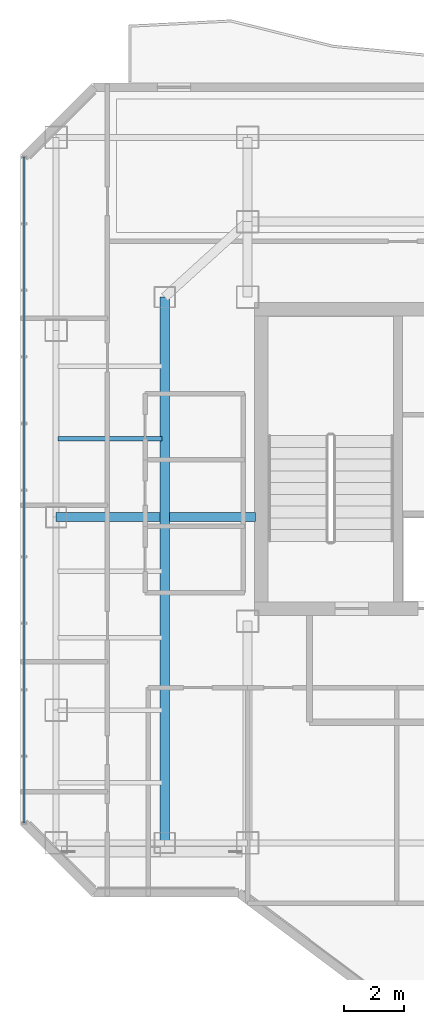
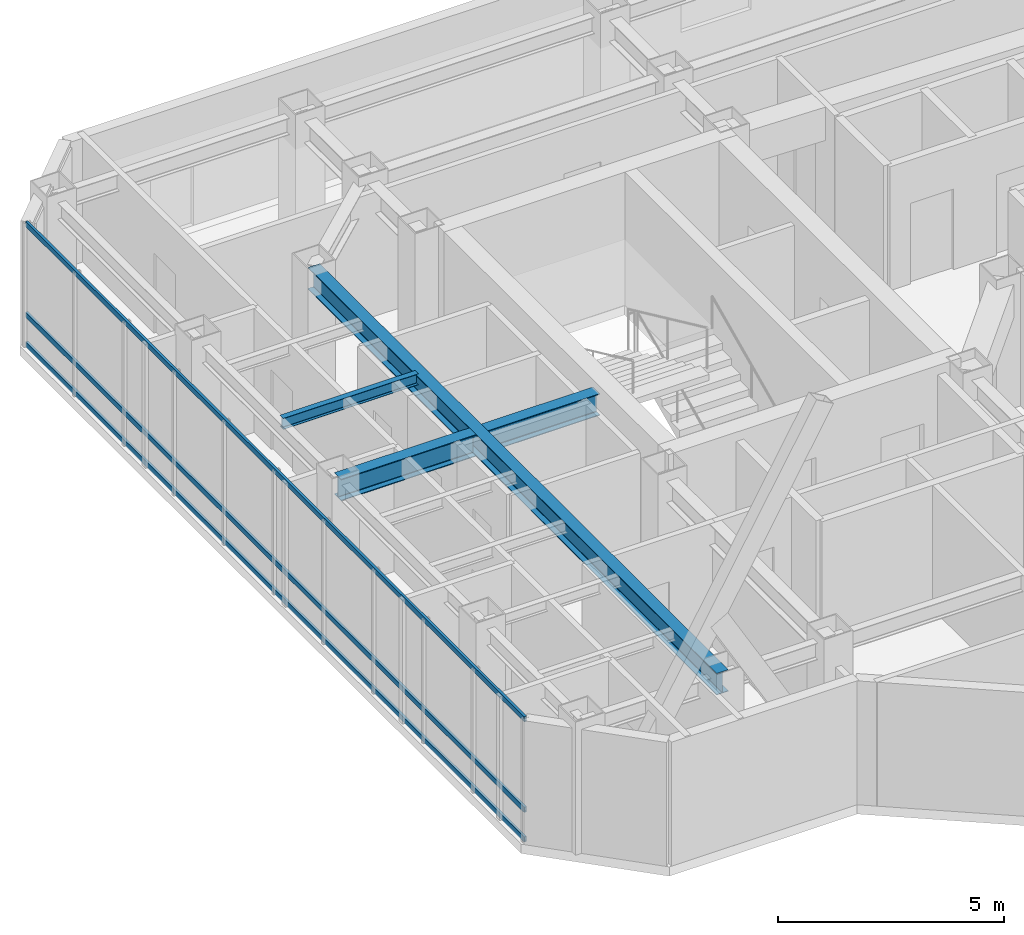
# One storey, part 7 of 24: 4 beams, 3 members, 1 element without a shape of its own.
"""IFC4 building model written with IfcOpenShell, lengths in metres."""

from ifc_helpers import new_model, si_unit, direction, frame, origin, origin_2d, place, context, subcontext, project, spatial, hollow_rectangle, i_section, extrude, material, layer, layer_set, material_profile, profile_set, type_object, element, aggregate, save


model = new_model("IFC4")

# Units and contexts
model_context = context("Model", 3, precision=1e-05, world=origin(), true_north=direction((0.0, 1.0)))
body_context = subcontext(model_context, "Body", "Model", "MODEL_VIEW")
ifc_project = project(units=[si_unit("LENGTHUNIT", "METRE"), si_unit("AREAUNIT", "SQUARE_METRE"), si_unit("VOLUMEUNIT", "CUBIC_METRE"), si_unit("PLANEANGLEUNIT", "RADIAN"), si_unit("MASSUNIT", "GRAM", prefix="KILO")], contexts=[model_context])

# Site, building, storey
site_placement = place(None, origin())
site = spatial("IfcSite", under=ifc_project, at=site_placement, CompositionType="ELEMENT")
building_placement = place(site_placement, origin())
building = spatial("IfcBuilding", under=site, at=building_placement, Name="Hatsunagi Terrace Concourse", CompositionType="ELEMENT")
storey_placement = place(building_placement, frame((0.0, 0.0, 213.14990234375)))
storey = spatial("IfcBuildingStorey", under=building, at=storey_placement, Name="L56", CompositionType="ELEMENT", Elevation=213.14990234375)

# Curtain wall, members
ifc_material_1 = material(Name="Anodised Aluminium Alloy 6063-T5", Category="aluminium")
ifc_layer = layer(ifc_material_1, 0.199951171875)
ifc_layer_set = layer_set([ifc_layer], Name="OfficeZone2_CW04")
curtain_wall_type = type_object("IfcCurtainWallType", Name="OfficeZone2_CW04", PredefinedType="NOTDEFINED", material=ifc_layer_set)
curtain_wall_placement = place(storey_placement, origin())
curtain_wall = element("IfcCurtainWall", 1, at=curtain_wall_placement, inside=storey, type_object=curtain_wall_type, Name="Unitised Curtain Wall CW-04 CW-L56-08", PredefinedType="NOTDEFINED")
ifc_material_2 = material(Name="Anodised Aluminium Alloy 6063-T5", Category="aluminium")
ifc_material_profile_1 = material_profile(ifc_material_2, hollow_rectangle(XDim=0.06494140625, YDim=0.139892578125, WallThickness=0.00390625, at=origin_2d()), Name="ALU-TRN-140x65x4")
ifc_profile_set_1 = profile_set([ifc_material_profile_1], Name="Anodised Aluminium Alloy 6063-T5")
member_type = type_object("IfcMemberType", Name="CurtainWallTransom_140x65", PredefinedType="USERDEFINED", material=ifc_profile_set_1)
member_1_placement = place(storey_placement, frame((18.139892578125, 25.85791015625, 0.050048828125), z_axis=(0.0, 1.0, 0.0), x_axis=(-1.0, 0.0, 0.0)))
member_1 = element("IfcMember", 2, at=member_1_placement, type_object=member_type, Name="Curtain Wall Transom TRN-02", ObjectType="TRANSOM", PredefinedType="USERDEFINED", context=body_context, shape_type="SweptSolid", body=[
    extrude(hollow_rectangle(XDim=0.06494140625, YDim=0.139892578125, WallThickness=0.00390625, at=origin_2d()), origin(), (0.0, 0.0, 1.0), 22.083984375),
])
member_2_placement = place(storey_placement, frame((18.139892578125, 25.85791015625, 0.85009765625), z_axis=(0.0, 1.0, 0.0), x_axis=(-1.0, 0.0, 0.0)))
member_2 = element("IfcMember", 3, at=member_2_placement, type_object=member_type, Name="Curtain Wall Transom TRN-02", ObjectType="TRANSOM", PredefinedType="USERDEFINED", context=body_context, shape_type="SweptSolid", body=[
    extrude(hollow_rectangle(XDim=0.06494140625, YDim=0.139892578125, WallThickness=0.00390625, at=origin_2d()), origin(), (0.0, 0.0, 1.0), 22.083984375),
])
member_3_placement = place(storey_placement, frame((18.139892578125, 25.85791015625, 3.300048828125), z_axis=(0.0, 1.0, 0.0), x_axis=(-1.0, 0.0, 0.0)))
member_3 = element("IfcMember", 4, at=member_3_placement, type_object=member_type, Name="Curtain Wall Transom TRN-02", ObjectType="TRANSOM", PredefinedType="USERDEFINED", context=body_context, shape_type="SweptSolid", body=[
    extrude(hollow_rectangle(XDim=0.06494140625, YDim=0.139892578125, WallThickness=0.00390625, at=origin_2d()), origin(), (0.0, 0.0, 1.0), 22.083984375),
])
aggregate(curtain_wall, [member_1, member_2, member_3])

# Beams
ifc_material_3 = material(Name="Steel SN490B", Category="steel")
ifc_material_profile_2 = material_profile(ifc_material_3, i_section(OverallWidth=0.300048828125, OverallDepth=0.587890625, WebThickness=0.011962890625, FlangeThickness=0.02001953125, FilletRadius=0.01806640625, at=origin_2d()), Name="H-588x300x12x20")
ifc_profile_set_2 = profile_set([ifc_material_profile_2], Name="Steel SN490B")
beam_type_1 = type_object("IfcBeamType", Name="OfficeHighGirder_H_588x300", PredefinedType="BEAM", material=ifc_profile_set_2)
beam_1_placement = place(storey_placement, frame((22.800048828125, 25.199951171875, 3.05615234375), z_axis=(0.0, 1.0, 0.0), x_axis=(-1.0, 0.0, 0.0)))
element("IfcBeam", 5, at=beam_1_placement, inside=storey, type_object=beam_type_1, Name="Beam G-06 BM-L56-CWNS", PredefinedType="BEAM", context=body_context, shape_type="SweptSolid", body=[
    extrude(i_section(OverallWidth=0.300048828125, OverallDepth=0.587890625, WebThickness=0.011962890625, FlangeThickness=0.02001953125, FilletRadius=0.01806640625, at=origin_2d()), origin(), (0.0, 0.0, 1.0), 18.10009765625),
])
beam_2_placement = place(storey_placement, frame((19.199951171875, 36.0, 3.05615234375), z_axis=(1.0, 0.0, 0.0), x_axis=(0.0, 1.0, 0.0)))
element("IfcBeam", 6, at=beam_2_placement, inside=storey, type_object=beam_type_1, Name="Beam G-06 BM-L56-EW-3", PredefinedType="BEAM", context=body_context, shape_type="SweptSolid", body=[
    extrude(i_section(OverallWidth=0.300048828125, OverallDepth=0.587890625, WebThickness=0.011962890625, FlangeThickness=0.02001953125, FilletRadius=0.01806640625, at=origin_2d()), origin(), (0.0, 0.0, 1.0), 3.449951171875),
])
beam_3_placement = place(storey_placement, frame((22.949951171875, 36.0, 3.05615234375), z_axis=(1.0, 0.0, 0.0), x_axis=(0.0, 1.0, 0.0)))
element("IfcBeam", 7, at=beam_3_placement, inside=storey, type_object=beam_type_1, Name="Beam G-06 BM-L56-EW-4", PredefinedType="BEAM", context=body_context, shape_type="SweptSolid", body=[
    extrude(i_section(OverallWidth=0.300048828125, OverallDepth=0.587890625, WebThickness=0.011962890625, FlangeThickness=0.02001953125, FilletRadius=0.01806640625, at=origin_2d()), origin(), (0.0, 0.0, 1.0), 2.860107421875),
])
ifc_material_4 = material(Name="Steel SN490B", Category="steel")
ifc_material_profile_3 = material_profile(ifc_material_4, i_section(OverallWidth=0.14990234375, OverallDepth=0.300048828125, WebThickness=0.006591796875, FlangeThickness=0.009033203125, FilletRadius=0.010986328125, at=origin_2d()), Name="H-300x150x6.5x9")
ifc_profile_set_3 = profile_set([ifc_material_profile_3], Name="Steel SN490B")
beam_type_2 = type_object("IfcBeamType", Name="OfficeJoist_H_300x150", PredefinedType="JOIST", material=ifc_profile_set_3)
beam_4_placement = place(storey_placement, frame((19.264892578125, 38.60009765625, 3.2001953125), z_axis=(1.0, 0.0, 0.0), x_axis=(0.0, 1.0, 0.0)))
element("IfcBeam", 8, at=beam_4_placement, inside=storey, type_object=beam_type_2, Name="Beam J-03 J-L56-W-19-386", PredefinedType="JOIST", context=body_context, shape_type="SweptSolid", body=[
    extrude(i_section(OverallWidth=0.14990234375, OverallDepth=0.300048828125, WebThickness=0.006591796875, FlangeThickness=0.009033203125, FilletRadius=0.010986328125, at=origin_2d()), origin(), (0.0, 0.0, 1.0), 3.4501953125),
])

save(model, "model.ifc")
